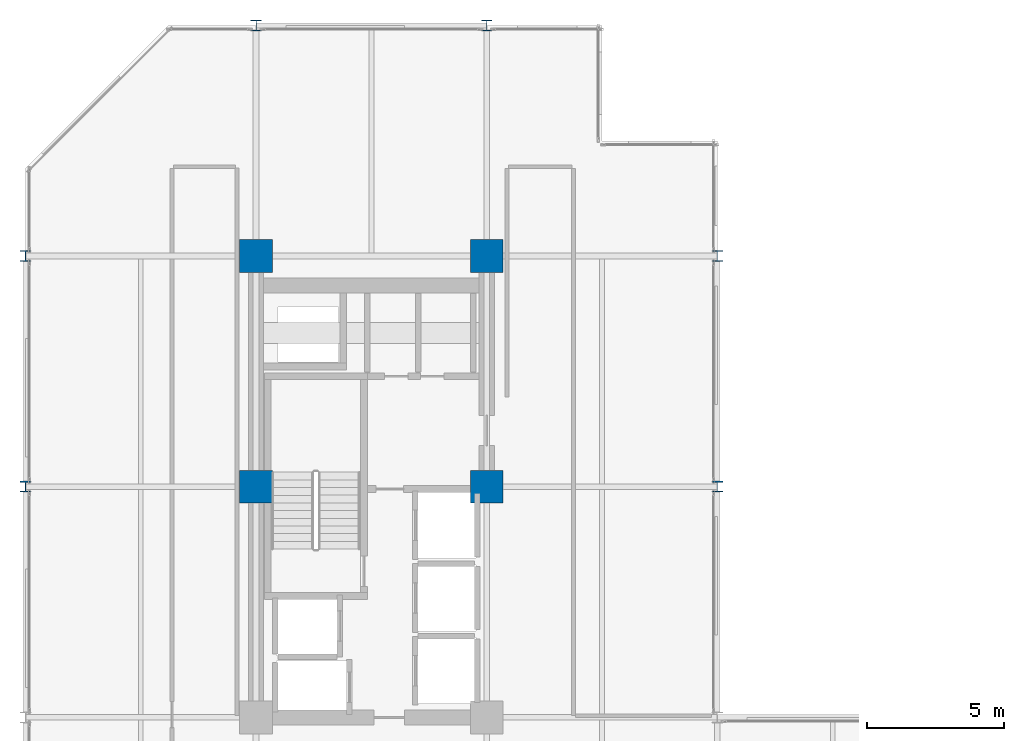
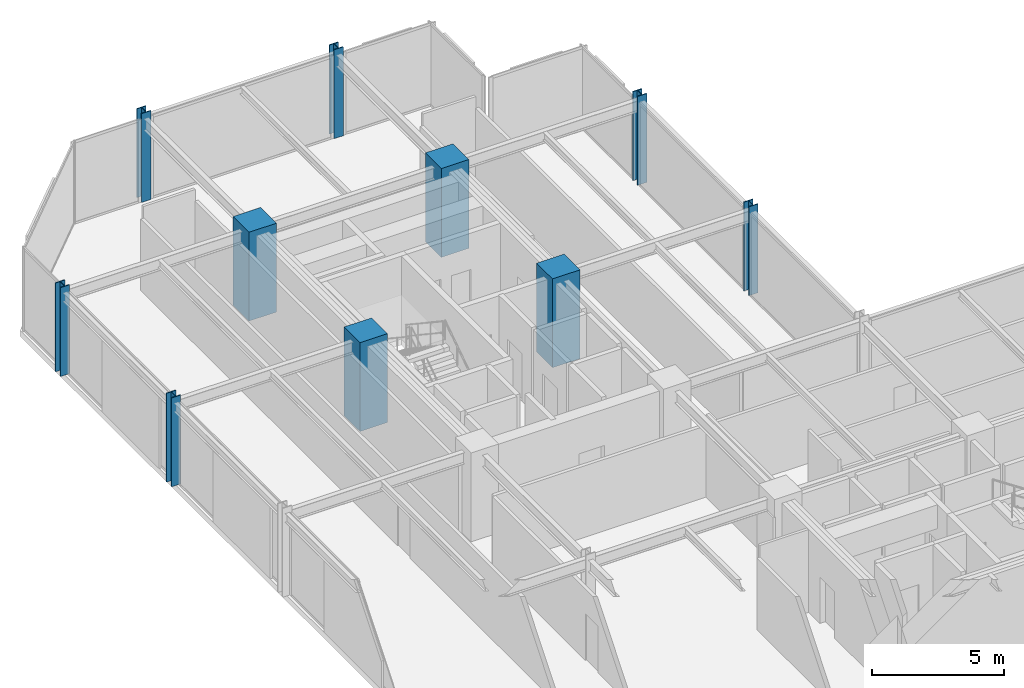
# One storey, part 3 of 38: 10 columns.
"""IFC4 building model written with IfcOpenShell, lengths in metres."""

from ifc_helpers import new_model, si_unit, direction, frame, origin, origin_2d, place, context, subcontext, project, spatial, rectangle, i_section, extrude, material, material_profile, profile_set, type_object, element, save


model = new_model("IFC4")

# Units and contexts
model_context = context("Model", 3, precision=1e-05, world=origin(), true_north=direction((0.0, 1.0)))
body_context = subcontext(model_context, "Body", "Model", "MODEL_VIEW")
ifc_project = project(units=[si_unit("LENGTHUNIT", "METRE"), si_unit("AREAUNIT", "SQUARE_METRE"), si_unit("VOLUMEUNIT", "CUBIC_METRE"), si_unit("PLANEANGLEUNIT", "RADIAN"), si_unit("MASSUNIT", "GRAM", prefix="KILO")], contexts=[model_context])

# Site, building, storey
site_placement = place(None, origin())
site = spatial("IfcSite", under=ifc_project, at=site_placement, CompositionType="ELEMENT")
building_placement = place(site_placement, origin())
building = spatial("IfcBuilding", under=site, at=building_placement, Name="Nerrivon Quay Data Exchange", CompositionType="ELEMENT")
storey_placement = place(building_placement, frame((0.0, 0.0, 88.5)))
storey = spatial("IfcBuildingStorey", under=building, at=storey_placement, Name="L20", CompositionType="ELEMENT", Elevation=88.5)

# Columns
ifc_material_1 = material(Name="Concrete S65 (65 MPa)", Category="concrete")
ifc_material_profile_1 = material_profile(ifc_material_1, rectangle(XDim=1.199951171875, YDim=1.199951171875, at=origin_2d()), Name="RC-COL-1200x1200")
ifc_profile_set_1 = profile_set([ifc_material_profile_1], Name="Concrete S65 (65 MPa)")
column_type_1 = type_object("IfcColumnType", Name="COL-C3-1200", PredefinedType="COLUMN", material=ifc_profile_set_1)
for number, where, z_axis, x_axis, name in (
    (1, (8.39990234375, 33.60009765625, 0.0), (0.0, 0.0, 1.0), (1.0, 0.0, 0.0), "L20 Column (8.4,33.6)"),
    (2, (8.39990234375, 42.0, 0.0), (0.0, 0.0, 1.0), (1.0, 0.0, 0.0), "L20 Column (8.4,42.0)"),
    (3, (16.800048828125, 33.60009765625, 0.0), (0.0, 0.0, 1.0), (1.0, 0.0, 0.0), "L20 Column (16.8,33.6)"),
    (4, (16.800048828125, 42.0, 0.0), (0.0, 0.0, 1.0), (1.0, 0.0, 0.0), "L20 Column (16.8,42.0)"),
):
    element("IfcColumn", number, at=place(storey_placement, frame(where, z_axis=z_axis, x_axis=x_axis)), inside=storey, type_object=column_type_1, Name=name, PredefinedType="COLUMN", context=body_context, shape_type="SweptSolid", body=[
        extrude(rectangle(XDim=1.199951171875, YDim=1.199951171875, at=origin_2d()), origin(), (0.0, 0.0, 1.0), 4.10009765625),
    ])
ifc_material_2 = material(Name="Steel Grade 350", Category="steel")
ifc_material_profile_2 = material_profile(ifc_material_2, i_section(OverallWidth=0.39990234375, OverallDepth=0.39990234375, WebThickness=0.02490234375, FlangeThickness=0.0400390625, at=origin_2d()), Name="400WC328")
ifc_profile_set_2 = profile_set([ifc_material_profile_2], Name="Steel Grade 350")
column_type_2 = type_object("IfcColumnType", Name="COL-SC2-400WC", PredefinedType="COLUMN", material=ifc_profile_set_2)
for number, where, z_axis, x_axis, name in (
    (5, (0.0, 33.60009765625, 0.0), (0.0, 0.0, 1.0), (1.0, 0.0, 0.0), "L20 Column (0.0,33.6)"),
    (6, (0.0, 42.0, 0.0), (0.0, 0.0, 1.0), (1.0, 0.0, 0.0), "L20 Column (0.0,42.0)"),
    (7, (8.39990234375, 50.39990234375, 0.0), (0.0, 0.0, 1.0), (1.0, 0.0, 0.0), "L20 Column (8.4,50.4)"),
    (8, (16.800048828125, 50.39990234375, 0.0), (0.0, 0.0, 1.0), (1.0, 0.0, 0.0), "L20 Column (16.8,50.4)"),
    (9, (25.199951171875, 33.60009765625, 0.0), (0.0, 0.0, 1.0), (1.0, 0.0, 0.0), "L20 Column (25.2,33.6)"),
    (10, (25.199951171875, 42.0, 0.0), (0.0, 0.0, 1.0), (1.0, 0.0, 0.0), "L20 Column (25.2,42.0)"),
):
    element("IfcColumn", number, at=place(storey_placement, frame(where, z_axis=z_axis, x_axis=x_axis)), inside=storey, type_object=column_type_2, Name=name, PredefinedType="COLUMN", context=body_context, shape_type="SweptSolid", body=[
        extrude(i_section(OverallWidth=0.39990234375, OverallDepth=0.39990234375, WebThickness=0.02490234375, FlangeThickness=0.0400390625, at=origin_2d()), origin(), (0.0, 0.0, 1.0), 4.10009765625),
    ])

save(model, "model.ifc")
